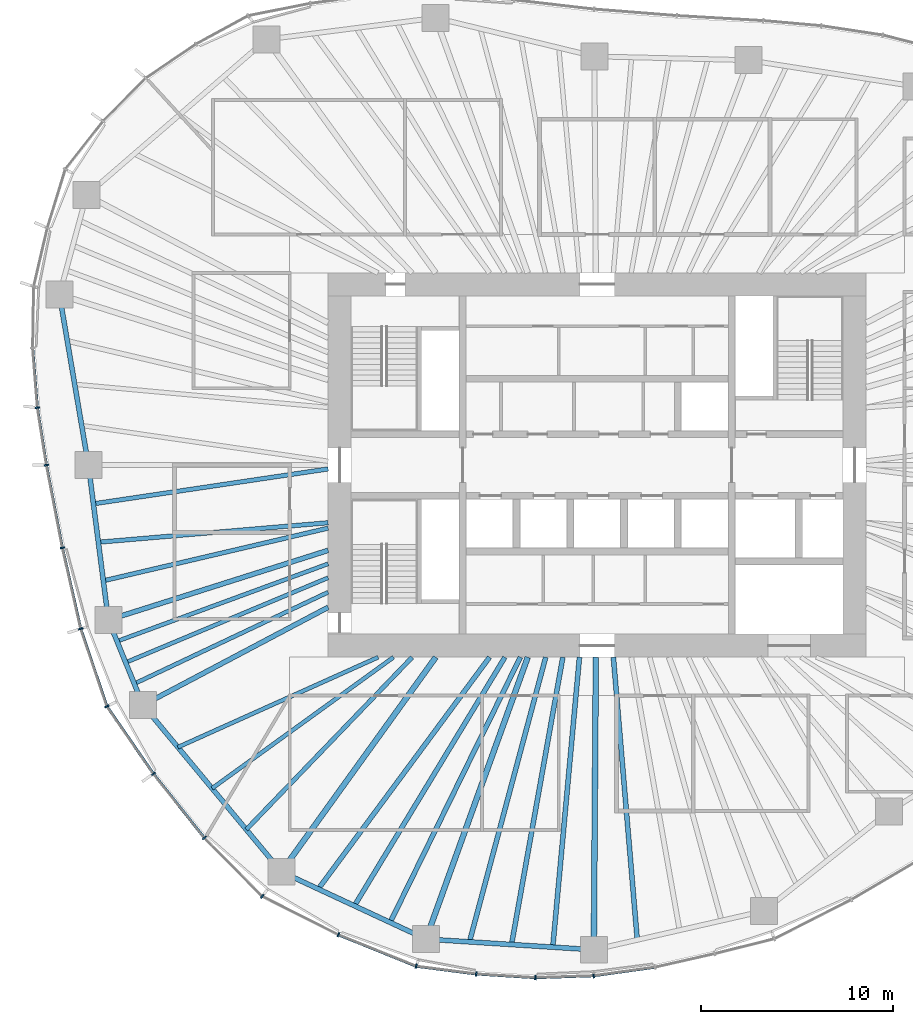
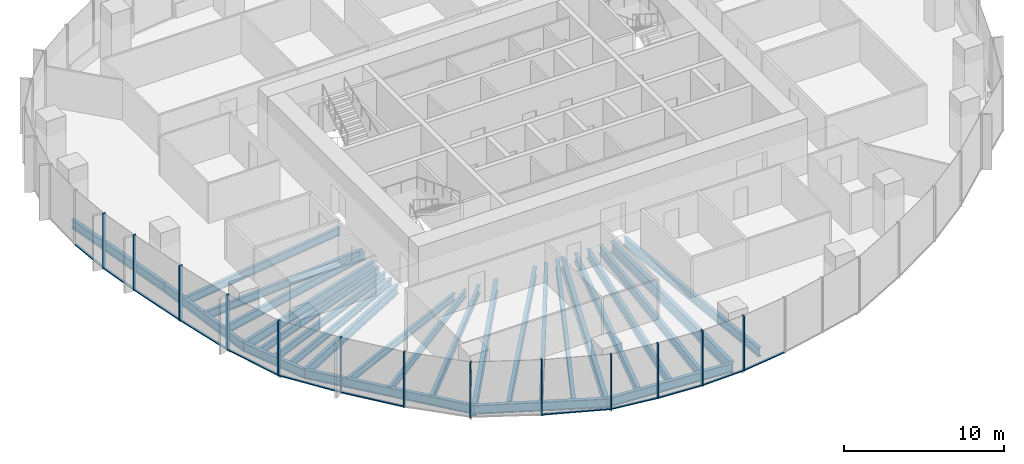
# One storey, part 2 of 18: 27 beams, 25 members, 7 elements without a shape of their own.
"""IFC4 building model written with IfcOpenShell, lengths in metres."""

from ifc_helpers import new_model, si_unit, direction, frame, origin, origin_2d, place, context, subcontext, project, spatial, rectangle, i_section, extrude, material, material_profile, profile_set, type_object, element, aggregate, save


model = new_model("IFC4")

# Units and contexts
model_context = context("Model", 3, precision=1e-05, world=origin(), true_north=direction((0.0, 1.0)))
body_context = subcontext(model_context, "Body", "Model", "MODEL_VIEW")
ifc_project = project(units=[si_unit("LENGTHUNIT", "METRE"), si_unit("AREAUNIT", "SQUARE_METRE"), si_unit("VOLUMEUNIT", "CUBIC_METRE"), si_unit("PLANEANGLEUNIT", "RADIAN"), si_unit("MASSUNIT", "GRAM", prefix="KILO")], contexts=[model_context])

# Site, building, storey
site_placement = place(None, origin())
site = spatial("IfcSite", under=ifc_project, at=site_placement, CompositionType="ELEMENT")
building_placement = place(site_placement, origin())
building = spatial("IfcBuilding", under=site, at=building_placement, Name="Ghaith Harvest Tower", CompositionType="ELEMENT")
storey_placement = place(building_placement, frame((0.0, 0.0, 159.60009765625)))
storey = spatial("IfcBuildingStorey", under=building, at=storey_placement, Name="L34", CompositionType="ELEMENT", Elevation=159.60009765625)

# Curtain wall, member
ifc_material_1 = material(Name="Black anodised aluminium and fritted glass", Category="aluminium")
curtain_wall_type = type_object("IfcCurtainWallType", Name="CW-L CURTAIN WALL", PredefinedType="NOTDEFINED", material=ifc_material_1)
curtain_wall_1_placement = place(storey_placement, origin())
curtain_wall_1 = element("IfcCurtainWall", 1, at=curtain_wall_1_placement, inside=storey, type_object=curtain_wall_type, Name="Curtain wall CW-L bay 10 L34", PredefinedType="NOTDEFINED")
ifc_material_2 = material(Name="Aluminium, black anodised", Category="aluminium")
ifc_material_profile_1 = material_profile(ifc_material_2, rectangle(XDim=0.080078125, YDim=0.239990234375, at=origin_2d()), Name="CW-L MULLION 80x240")
ifc_profile_set_1 = profile_set([ifc_material_profile_1], Name="Aluminium, black anodised")
member_type_1 = type_object("IfcMemberType", Name="CW-L MULLION 80x240", PredefinedType="MULLION", material=ifc_profile_set_1)
member_1_placement = place(storey_placement, frame((-29.131103515625, 2.990478515625, 0.0), z_axis=(0.0, 0.0, 1.0), x_axis=(0.116763791346, -0.993159713757, 0.0)))
member_1 = element("IfcMember", 2, at=member_1_placement, type_object=member_type_1, Name="CW-L mullion 3 bay 10 L34", PredefinedType="MULLION", context=body_context, shape_type="SweptSolid", body=[
    extrude(rectangle(XDim=0.080078125, YDim=0.239990234375, at=origin_2d()), origin(), (0.0, 0.0, 1.0), 4.199951171875),
])

# Curtain wall, members
curtain_wall_2_placement = place(storey_placement, origin())
curtain_wall_2 = element("IfcCurtainWall", 3, at=curtain_wall_2_placement, inside=storey, type_object=curtain_wall_type, Name="Curtain wall CW-L bay 11 L34", PredefinedType="NOTDEFINED")
member_2_placement = place(storey_placement, frame((-28.6611328125, 0.0, 0.0), z_axis=(0.0, 0.0, 1.0), x_axis=(0.175827209372, -0.984421044292, 0.0)))
member_2 = element("IfcMember", 4, at=member_2_placement, type_object=member_type_1, Name="CW-L mullion 1 bay 11 L34", PredefinedType="MULLION", context=body_context, shape_type="SweptSolid", body=[
    extrude(rectangle(XDim=0.080078125, YDim=0.239990234375, at=origin_2d()), origin(), (0.0, 0.0, 1.0), 4.199951171875),
])
member_3_placement = place(storey_placement, frame((-27.828125, -4.30419921875, 0.0), z_axis=(0.0, 0.0, 1.0), x_axis=(0.205176300018, -0.978725030798, 0.0)))
member_3 = element("IfcMember", 5, at=member_3_placement, type_object=member_type_1, Name="CW-L mullion 2 bay 11 L34", PredefinedType="MULLION", context=body_context, shape_type="SweptSolid", body=[
    extrude(rectangle(XDim=0.080078125, YDim=0.239990234375, at=origin_2d()), origin(), (0.0, 0.0, 1.0), 4.199951171875),
])

curtain_wall_3_placement = place(storey_placement, origin())
curtain_wall_3 = element("IfcCurtainWall", 6, at=curtain_wall_3_placement, inside=storey, type_object=curtain_wall_type, Name="Curtain wall CW-L bay 12 L34", PredefinedType="NOTDEFINED")
member_4_placement = place(storey_placement, frame((-26.875732421875, -8.517333984375, 0.0), z_axis=(0.0, 0.0, 1.0), x_axis=(0.270018818005, -0.962855045125, 0.0)))
member_4 = element("IfcMember", 7, at=member_4_placement, type_object=member_type_1, Name="CW-L mullion 1 bay 12 L34", PredefinedType="MULLION", context=body_context, shape_type="SweptSolid", body=[
    extrude(rectangle(XDim=0.080078125, YDim=0.239990234375, at=origin_2d()), origin(), (0.0, 0.0, 1.0), 4.199951171875),
])
member_5_placement = place(storey_placement, frame((-25.513427734375, -12.55810546875, 0.0), z_axis=(0.0, 0.0, 1.0), x_axis=(0.448267068681, -0.893899678452, 0.0)))
member_5 = element("IfcMember", 8, at=member_5_placement, type_object=member_type_1, Name="CW-L mullion 2 bay 12 L34", PredefinedType="MULLION", context=body_context, shape_type="SweptSolid", body=[
    extrude(rectangle(XDim=0.080078125, YDim=0.239990234375, at=origin_2d()), origin(), (0.0, 0.0, 1.0), 4.199951171875),
])

curtain_wall_4_placement = place(storey_placement, origin())
curtain_wall_4 = element("IfcCurtainWall", 9, at=curtain_wall_4_placement, inside=storey, type_object=curtain_wall_type, Name="Curtain wall CW-L bay 13 L34", PredefinedType="NOTDEFINED")
member_6_placement = place(storey_placement, frame((-23.090087890625, -16.066162109375, 0.0), z_axis=(0.0, 0.0, 1.0), x_axis=(0.595740202191, -0.803177198066, 0.0)))
member_6 = element("IfcMember", 10, at=member_6_placement, type_object=member_type_1, Name="CW-L mullion 1 bay 13 L34", PredefinedType="MULLION", context=body_context, shape_type="SweptSolid", body=[
    extrude(rectangle(XDim=0.080078125, YDim=0.239990234375, at=origin_2d()), origin(), (0.0, 0.0, 1.0), 4.199951171875),
])
member_7_placement = place(storey_placement, frame((-20.441162109375, -19.396728515625, 0.0), z_axis=(0.0, 0.0, 1.0), x_axis=(0.663764675537, -0.747941478666, 0.0)))
member_7 = element("IfcMember", 11, at=member_7_placement, type_object=member_type_1, Name="CW-L mullion 2 bay 13 L34", PredefinedType="MULLION", context=body_context, shape_type="SweptSolid", body=[
    extrude(rectangle(XDim=0.080078125, YDim=0.239990234375, at=origin_2d()), origin(), (0.0, 0.0, 1.0), 4.199951171875),
])

curtain_wall_5_placement = place(storey_placement, origin())
curtain_wall_5 = element("IfcCurtainWall", 12, at=curtain_wall_5_placement, inside=storey, type_object=curtain_wall_type, Name="Curtain wall CW-L bay 14 L34", PredefinedType="NOTDEFINED")
member_8_placement = place(storey_placement, frame((-17.430419921875, -22.443603515625, 0.0), z_axis=(0.0, 0.0, 1.0), x_axis=(0.810339399222, -0.585960799089, 0.0)))
member_8 = element("IfcMember", 13, at=member_8_placement, type_object=member_type_1, Name="CW-L mullion 1 bay 14 L34", PredefinedType="MULLION", context=body_context, shape_type="SweptSolid", body=[
    extrude(rectangle(XDim=0.080078125, YDim=0.239990234375, at=origin_2d()), origin(), (0.0, 0.0, 1.0), 4.199951171875),
])
member_9_placement = place(storey_placement, frame((-13.463134765625, -24.4423828125, 0.0), z_axis=(0.0, 0.0, 1.0), x_axis=(0.910648017946, -0.413182995066, 0.0)))
member_9 = element("IfcMember", 14, at=member_9_placement, type_object=member_type_1, Name="CW-L mullion 2 bay 14 L34", PredefinedType="MULLION", context=body_context, shape_type="SweptSolid", body=[
    extrude(rectangle(XDim=0.080078125, YDim=0.239990234375, at=origin_2d()), origin(), (0.0, 0.0, 1.0), 4.199951171875),
])

curtain_wall_6_placement = place(storey_placement, origin())
curtain_wall_6 = element("IfcCurtainWall", 15, at=curtain_wall_6_placement, inside=storey, type_object=curtain_wall_type, Name="Curtain wall CW-L bay 15 L34", PredefinedType="NOTDEFINED")
member_10_placement = place(storey_placement, frame((-9.4189453125, -26.07861328125, 0.0), z_axis=(0.0, 0.0, 1.0), x_axis=(0.961788606004, -0.273793128768, 0.0)))
member_10 = element("IfcMember", 16, at=member_10_placement, type_object=member_type_1, Name="CW-L mullion 1 bay 15 L34", PredefinedType="MULLION", context=body_context, shape_type="SweptSolid", body=[
    extrude(rectangle(XDim=0.080078125, YDim=0.239990234375, at=origin_2d()), origin(), (0.0, 0.0, 1.0), 4.199951171875),
])
member_11_placement = place(storey_placement, frame((-6.29443359375, -26.483154296875, 0.0), z_axis=(0.0, 0.0, 1.0), x_axis=(0.995389243171, -0.095917957546, 0.0)))
member_11 = element("IfcMember", 17, at=member_11_placement, type_object=member_type_1, Name="CW-L mullion 2 bay 15 L34", PredefinedType="MULLION", context=body_context, shape_type="SweptSolid", body=[
    extrude(rectangle(XDim=0.080078125, YDim=0.239990234375, at=origin_2d()), origin(), (0.0, 0.0, 1.0), 4.199951171875),
])
member_12_placement = place(storey_placement, frame((-3.21923828125, -26.676025390625, 0.0), z_axis=(0.0, 0.0, 1.0), x_axis=(0.999890531495, -0.014796115241, 0.0)))
member_12 = element("IfcMember", 18, at=member_12_placement, type_object=member_type_1, Name="CW-L mullion 3 bay 15 L34", PredefinedType="MULLION", context=body_context, shape_type="SweptSolid", body=[
    extrude(rectangle(XDim=0.080078125, YDim=0.239990234375, at=origin_2d()), origin(), (0.0, 0.0, 1.0), 4.199951171875),
])

# Curtain wall, member
curtain_wall_7_placement = place(storey_placement, origin())
curtain_wall_7 = element("IfcCurtainWall", 19, at=curtain_wall_7_placement, inside=storey, type_object=curtain_wall_type, Name="Curtain wall CW-L bay 16 L34", PredefinedType="NOTDEFINED")
member_13_placement = place(storey_placement, frame((-0.181884765625, -26.57373046875, 0.0), z_axis=(0.0, 0.0, 1.0), x_axis=(0.996169227662, 0.087446382772, 0.0)))
member_13 = element("IfcMember", 20, at=member_13_placement, type_object=member_type_1, Name="CW-L mullion 1 bay 16 L34", PredefinedType="MULLION", context=body_context, shape_type="SweptSolid", body=[
    extrude(rectangle(XDim=0.080078125, YDim=0.239990234375, at=origin_2d()), origin(), (0.0, 0.0, 1.0), 4.199951171875),
])

# Member
ifc_material_3 = material(Name="Aluminium, black anodised", Category="aluminium")
ifc_material_profile_2 = material_profile(ifc_material_3, rectangle(XDim=0.14990234375, YDim=0.080078125, at=origin_2d()), Name="CW-L TRANSOM 150x80")
ifc_profile_set_2 = profile_set([ifc_material_profile_2], Name="Aluminium, black anodised")
member_type_2 = type_object("IfcMemberType", Name="CW-L TRANSOM 150x80", PredefinedType="USERDEFINED", material=ifc_profile_set_2)
member_14_placement = place(storey_placement, frame((-29.374755859375, 6.05615234375, 0.039794921875), z_axis=(0.079230491279, -0.996856323274, 0.0), x_axis=(0.996856323274, 0.079230491279, 0.0)))
member_14 = element("IfcMember", 21, at=member_14_placement, type_object=member_type_2, Name="CW-L transom 2 bay 10 L34", ObjectType="TRANSOM", PredefinedType="USERDEFINED", context=body_context, shape_type="SweptSolid", body=[
    extrude(rectangle(XDim=0.14990234375, YDim=0.080078125, at=origin_2d()), origin(), (0.0, 0.0, 1.0), 3.03515625),
])

member_15_placement = place(storey_placement, frame((-29.124755859375, 2.951171875, 0.039794921875), z_axis=(0.155150065502, -0.987890913601, 0.0), x_axis=(0.987890913601, 0.155150065502, 0.0)))
member_15 = element("IfcMember", 22, at=member_15_placement, type_object=member_type_2, Name="CW-L transom 3 bay 10 L34", ObjectType="TRANSOM", PredefinedType="USERDEFINED", context=body_context, shape_type="SweptSolid", body=[
    extrude(rectangle(XDim=0.14990234375, YDim=0.080078125, at=origin_2d()), origin(), (0.0, 0.0, 1.0), 2.947265625),
])

aggregate(curtain_wall_1, [member_14, member_1, member_15])

member_16_placement = place(storey_placement, frame((-28.653564453125, -0.039306640625, 0.039794921875), z_axis=(0.190025434036, -0.981779167848, 0.0), x_axis=(0.981779167848, 0.190025434036, 0.0)))
member_16 = element("IfcMember", 23, at=member_16_placement, type_object=member_type_2, Name="CW-L transom 1 bay 11 L34", ObjectType="TRANSOM", PredefinedType="USERDEFINED", context=body_context, shape_type="SweptSolid", body=[
    extrude(rectangle(XDim=0.14990234375, YDim=0.080078125, at=origin_2d()), origin(), (0.0, 0.0, 1.0), 4.303955078125),
])

member_17_placement = place(storey_placement, frame((-27.8193359375, -4.34326171875, 0.039794921875), z_axis=(0.220508326041, -0.975385092231, 0.0), x_axis=(0.975385092231, 0.220508326041, 0.0)))
member_17 = element("IfcMember", 24, at=member_17_placement, type_object=member_type_2, Name="CW-L transom 2 bay 11 L34", ObjectType="TRANSOM", PredefinedType="USERDEFINED", context=body_context, shape_type="SweptSolid", body=[
    extrude(rectangle(XDim=0.14990234375, YDim=0.080078125, at=origin_2d()), origin(), (0.0, 0.0, 1.0), 4.2392578125),
])

aggregate(curtain_wall_2, [member_2, member_16, member_3, member_17])

member_18_placement = place(storey_placement, frame((-26.863037109375, -8.55517578125, 0.039794921875), z_axis=(0.319499057133, -0.947586593664, 0.0), x_axis=(0.947586593664, 0.319499057133, 0.0)))
member_18 = element("IfcMember", 25, at=member_18_placement, type_object=member_type_2, Name="CW-L transom 1 bay 12 L34", ObjectType="TRANSOM", PredefinedType="USERDEFINED", context=body_context, shape_type="SweptSolid", body=[
    extrude(rectangle(XDim=0.14990234375, YDim=0.080078125, at=origin_2d()), origin(), (0.0, 0.0, 1.0), 4.184326171875),
])

member_19_placement = place(storey_placement, frame((-25.49072265625, -12.591064453125, 0.039794921875), z_axis=(0.568360052499, -0.822779952796, 0.0), x_axis=(0.822779952796, 0.568360052499, 0.0)))
member_19 = element("IfcMember", 26, at=member_19_placement, type_object=member_type_2, Name="CW-L transom 2 bay 12 L34", ObjectType="TRANSOM", PredefinedType="USERDEFINED", context=body_context, shape_type="SweptSolid", body=[
    extrude(rectangle(XDim=0.14990234375, YDim=0.080078125, at=origin_2d()), origin(), (0.0, 0.0, 1.0), 4.183837890625),
])

aggregate(curtain_wall_3, [member_4, member_18, member_5, member_19])

member_20_placement = place(storey_placement, frame((-23.065185546875, -16.09765625, 0.039794921875), z_axis=(0.622510542814, -0.782611413209, 0.0), x_axis=(0.782611413209, 0.622510542814, 0.0)))
member_20 = element("IfcMember", 27, at=member_20_placement, type_object=member_type_2, Name="CW-L transom 1 bay 13 L34", ObjectType="TRANSOM", PredefinedType="USERDEFINED", context=body_context, shape_type="SweptSolid", body=[
    extrude(rectangle(XDim=0.14990234375, YDim=0.080078125, at=origin_2d()), origin(), (0.0, 0.0, 1.0), 4.17529296875),
])

aggregate(curtain_wall_4, [member_6, member_20, member_7])

member_21_placement = place(storey_placement, frame((-13.426025390625, -24.45751953125, 0.039794921875), z_axis=(0.92700297754, -0.375053968959, 0.0), x_axis=(0.375053968959, 0.92700297754, 0.0)))
member_21 = element("IfcMember", 28, at=member_21_placement, type_object=member_type_2, Name="CW-L transom 2 bay 14 L34", ObjectType="TRANSOM", PredefinedType="USERDEFINED", context=body_context, shape_type="SweptSolid", body=[
    extrude(rectangle(XDim=0.14990234375, YDim=0.080078125, at=origin_2d()), origin(), (0.0, 0.0, 1.0), 4.282470703125),
])

aggregate(curtain_wall_5, [member_8, member_9, member_21])

member_22_placement = place(storey_placement, frame((-9.37939453125, -26.083740234375, 0.039794921875), z_axis=(0.991722765635, -0.128397648429, 0.0), x_axis=(0.128397648429, 0.991722765635, 0.0)))
member_22 = element("IfcMember", 29, at=member_22_placement, type_object=member_type_2, Name="CW-L transom 1 bay 15 L34", ObjectType="TRANSOM", PredefinedType="USERDEFINED", context=body_context, shape_type="SweptSolid", body=[
    extrude(rectangle(XDim=0.14990234375, YDim=0.080078125, at=origin_2d()), origin(), (0.0, 0.0, 1.0), 3.07080078125),
])

member_23_placement = place(storey_placement, frame((-6.25439453125, -26.485595703125, 0.039794921875), z_axis=(0.998036402434, -0.062636566132, 0.0), x_axis=(0.062636566132, 0.998036402434, 0.0)))
member_23 = element("IfcMember", 30, at=member_23_placement, type_object=member_type_2, Name="CW-L transom 2 bay 15 L34", ObjectType="TRANSOM", PredefinedType="USERDEFINED", context=body_context, shape_type="SweptSolid", body=[
    extrude(rectangle(XDim=0.14990234375, YDim=0.080078125, at=origin_2d()), origin(), (0.0, 0.0, 1.0), 3.001220703125),
])

member_24_placement = place(storey_placement, frame((-3.17919921875, -26.6748046875, 0.039794921875), z_axis=(0.999430436664, 0.033746144522, 0.0), x_axis=(-0.033746144522, 0.999430436664, 0.0)))
member_24 = element("IfcMember", 31, at=member_24_placement, type_object=member_type_2, Name="CW-L transom 3 bay 15 L34", ObjectType="TRANSOM", PredefinedType="USERDEFINED", context=body_context, shape_type="SweptSolid", body=[
    extrude(rectangle(XDim=0.14990234375, YDim=0.080078125, at=origin_2d()), origin(), (0.0, 0.0, 1.0), 2.958984375),
])

aggregate(curtain_wall_6, [member_10, member_22, member_11, member_23, member_12, member_24])

member_25_placement = place(storey_placement, frame((-0.142333984375, -26.568115234375, 0.039794921875), z_axis=(0.990446640965, 0.137896524254, 0.0), x_axis=(-0.137896524254, 0.990446640965, 0.0)))
member_25 = element("IfcMember", 32, at=member_25_placement, type_object=member_type_2, Name="CW-L transom 1 bay 16 L34", ObjectType="TRANSOM", PredefinedType="USERDEFINED", context=body_context, shape_type="SweptSolid", body=[
    extrude(rectangle(XDim=0.14990234375, YDim=0.080078125, at=origin_2d()), origin(), (0.0, 0.0, 1.0), 3.142578125),
])

aggregate(curtain_wall_7, [member_13, member_25])

# Beams
ifc_material_4 = material(Name="Steel ASTM A992 Grade 50", Category="steel")
ifc_material_profile_3 = material_profile(ifc_material_4, i_section(OverallWidth=0.25390625, OverallDepth=0.68408203125, WebThickness=0.012451171875, FlangeThickness=0.018798828125, at=origin_2d()), Name="W690X140")
ifc_profile_set_3 = profile_set([ifc_material_profile_3], Name="Steel ASTM A992 Grade 50")
beam_type_1 = type_object("IfcBeamType", Name="E690-140 W690X140", PredefinedType="SPANDREL", material=ifc_profile_set_3)
beam_1_placement = place(storey_placement, frame((-27.98291015625, 8.867919921875, -0.51220703125), z_axis=(0.167624246844, -0.985850958244, 0.0), x_axis=(0.985850958244, 0.167624246844, 0.0)))
element("IfcBeam", 33, at=beam_1_placement, inside=storey, type_object=beam_type_1, Name="Edge beam E10 L34", PredefinedType="SPANDREL", context=body_context, shape_type="SweptSolid", body=[
    extrude(i_section(OverallWidth=0.25390625, OverallDepth=0.68408203125, WebThickness=0.012451171875, FlangeThickness=0.018798828125, at=origin_2d()), origin(), (0.0, 0.0, 1.0), 8.9951171875),
])
beam_2_placement = place(storey_placement, frame((-26.47509765625, 0.0, -0.51220703125), z_axis=(0.127841715048, -0.991794583517, 0.0), x_axis=(0.991794583517, 0.127841715048, 0.0)))
element("IfcBeam", 34, at=beam_2_placement, inside=storey, type_object=beam_type_1, Name="Edge beam E11 L34", PredefinedType="SPANDREL", context=body_context, shape_type="SweptSolid", body=[
    extrude(i_section(OverallWidth=0.25390625, OverallDepth=0.68408203125, WebThickness=0.012451171875, FlangeThickness=0.018798828125, at=origin_2d()), origin(), (0.0, 0.0, 1.0), 8.127685546875),
])
beam_3_placement = place(storey_placement, frame((-25.43603515625, -8.06103515625, -0.51220703125), z_axis=(0.376479712052, -0.9264248628, 0.0), x_axis=(0.9264248628, 0.376479712052, 0.0)))
element("IfcBeam", 35, at=beam_3_placement, inside=storey, type_object=beam_type_1, Name="Edge beam E12 L34", PredefinedType="SPANDREL", context=body_context, shape_type="SweptSolid", body=[
    extrude(i_section(OverallWidth=0.25390625, OverallDepth=0.68408203125, WebThickness=0.012451171875, FlangeThickness=0.018798828125, at=origin_2d()), origin(), (0.0, 0.0, 1.0), 4.783935546875),
])
beam_4_placement = place(storey_placement, frame((-23.635009765625, -12.492919921875, -0.51220703125), z_axis=(0.638719320052, -0.769439815835, 0.0), x_axis=(0.769439815835, 0.638719320052, 0.0)))
element("IfcBeam", 36, at=beam_4_placement, inside=storey, type_object=beam_type_1, Name="Edge beam E13 L34", PredefinedType="SPANDREL", context=body_context, shape_type="SweptSolid", body=[
    extrude(i_section(OverallWidth=0.25390625, OverallDepth=0.68408203125, WebThickness=0.012451171875, FlangeThickness=0.018798828125, at=origin_2d()), origin(), (0.0, 0.0, 1.0), 11.26953125),
])
beam_5_placement = place(storey_placement, frame((-16.43701171875, -21.1640625, -0.51220703125), z_axis=(0.906607079462, -0.421975832802, 0.0), x_axis=(0.421975832802, 0.906607079462, 0.0)))
element("IfcBeam", 37, at=beam_5_placement, inside=storey, type_object=beam_type_1, Name="Edge beam E14 L34", PredefinedType="SPANDREL", context=body_context, shape_type="SweptSolid", body=[
    extrude(i_section(OverallWidth=0.25390625, OverallDepth=0.68408203125, WebThickness=0.012451171875, FlangeThickness=0.018798828125, at=origin_2d()), origin(), (0.0, 0.0, 1.0), 8.303466796875),
])
beam_6_placement = place(storey_placement, frame((-8.908935546875, -24.66796875, -0.51220703125), z_axis=(0.99797963184, -0.063534671101, 0.0), x_axis=(0.063534671101, 0.99797963184, 0.0)))
element("IfcBeam", 38, at=beam_6_placement, inside=storey, type_object=beam_type_1, Name="Edge beam E15 L34", PredefinedType="SPANDREL", context=body_context, shape_type="SweptSolid", body=[
    extrude(i_section(OverallWidth=0.25390625, OverallDepth=0.68408203125, WebThickness=0.012451171875, FlangeThickness=0.018798828125, at=origin_2d()), origin(), (0.0, 0.0, 1.0), 8.75341796875),
])
ifc_material_5 = material(Name="Steel ASTM A992 Grade 50", Category="steel")
ifc_material_profile_4 = material_profile(ifc_material_5, i_section(OverallWidth=0.256103515625, OverallDepth=0.693115234375, WebThickness=0.014404296875, FlangeThickness=0.023681640625, at=origin_2d()), Name="W690X170")
ifc_profile_set_4 = profile_set([ifc_material_profile_4], Name="Steel ASTM A992 Grade 50")
beam_type_2 = type_object("IfcBeamType", Name="G690-170 W690X170", PredefinedType="BEAM", material=ifc_profile_set_4)
beam_7_placement = place(storey_placement, frame((-14.0, -4.43701171875, -0.5166015625), z_axis=(-0.953279533519, -0.302089607522, 0.0), x_axis=(0.302089607522, -0.953279533519, 0.0)))
element("IfcBeam", 39, at=beam_7_placement, inside=storey, type_object=beam_type_2, Name="Radial girder G12 L34", PredefinedType="BEAM", context=body_context, shape_type="SweptSolid", body=[
    extrude(i_section(OverallWidth=0.256103515625, OverallDepth=0.693115234375, WebThickness=0.014404296875, FlangeThickness=0.023681640625, at=origin_2d()), origin(), (0.0, 0.0, 1.0), 11.99658203125),
])
beam_8_placement = place(storey_placement, frame((-14.0, -7.39990234375, -0.5166015625), z_axis=(-0.884086346066, -0.467323584576, 0.0), x_axis=(0.467323584576, -0.884086346066, 0.0)))
element("IfcBeam", 40, at=beam_8_placement, inside=storey, type_object=beam_type_2, Name="Radial girder G13 L34", PredefinedType="BEAM", context=body_context, shape_type="SweptSolid", body=[
    extrude(i_section(OverallWidth=0.256103515625, OverallDepth=0.693115234375, WebThickness=0.014404296875, FlangeThickness=0.023681640625, at=origin_2d()), origin(), (0.0, 0.0, 1.0), 10.898193359375),
])
ifc_material_6 = material(Name="Steel ASTM A992 Grade 50", Category="steel")
ifc_material_profile_5 = material_profile(ifc_material_6, i_section(OverallWidth=0.2939453125, OverallDepth=0.85107421875, WebThickness=0.01611328125, FlangeThickness=0.02685546875, at=origin_2d()), Name="W840X226")
ifc_profile_set_5 = profile_set([ifc_material_profile_5], Name="Steel ASTM A992 Grade 50")
beam_type_3 = type_object("IfcBeamType", Name="G840-226 W840X226", PredefinedType="BEAM", material=ifc_profile_set_5)
beam_9_placement = place(storey_placement, frame((-8.39990234375, -10.0, -0.595703125), z_axis=(-0.584256100809, -0.811569349265, 0.0), x_axis=(0.811569349265, -0.584256100809, 0.0)))
element("IfcBeam", 41, at=beam_9_placement, inside=storey, type_object=beam_type_3, Name="Radial girder G14 L34", PredefinedType="BEAM", context=body_context, shape_type="SweptSolid", body=[
    extrude(i_section(OverallWidth=0.2939453125, OverallDepth=0.85107421875, WebThickness=0.01611328125, FlangeThickness=0.02685546875, at=origin_2d()), origin(), (0.0, 0.0, 1.0), 13.756103515625),
])
beam_10_placement = place(storey_placement, frame((-3.61181640625, -10.0, -0.595703125), z_axis=(-0.339664467784, -0.940546675782, 0.0), x_axis=(0.940546675782, -0.339664467784, 0.0)))
element("IfcBeam", 42, at=beam_10_placement, inside=storey, type_object=beam_type_3, Name="Radial girder G15 L34", PredefinedType="BEAM", context=body_context, shape_type="SweptSolid", body=[
    extrude(i_section(OverallWidth=0.2939453125, OverallDepth=0.85107421875, WebThickness=0.01611328125, FlangeThickness=0.02685546875, at=origin_2d()), origin(), (0.0, 0.0, 1.0), 15.59521484375),
])
beam_11_placement = place(storey_placement, frame((-0.068359375, -10.0, -0.595703125), z_axis=(-0.006879467722, -0.999976336182, 0.0), x_axis=(0.999976336182, -0.006879467722, 0.0)))
element("IfcBeam", 43, at=beam_11_placement, inside=storey, type_object=beam_type_3, Name="Radial girder G16 L34", PredefinedType="BEAM", context=body_context, shape_type="SweptSolid", body=[
    extrude(i_section(OverallWidth=0.2939453125, OverallDepth=0.85107421875, WebThickness=0.01611328125, FlangeThickness=0.02685546875, at=origin_2d()), origin(), (0.0, 0.0, 1.0), 15.224365234375),
])
ifc_material_7 = material(Name="Steel ASTM A992 Grade 50", Category="steel")
ifc_material_profile_6 = material_profile(ifc_material_7, i_section(OverallWidth=0.2109375, OverallDepth=0.5390625, WebThickness=0.01171875, FlangeThickness=0.018798828125, at=origin_2d()), Name="W530X109")
ifc_profile_set_6 = profile_set([ifc_material_profile_6], Name="Steel ASTM A992 Grade 50")
beam_type_4 = type_object("IfcBeamType", Name="J530-109 W530X109", PredefinedType="JOIST", material=ifc_profile_set_6)
beam_12_placement = place(storey_placement, frame((-14.0, -5.137939453125, -0.439697265625), z_axis=(-0.938774452531, -0.344532331247, 0.0), x_axis=(0.344532331247, -0.938774452531, 0.0)))
element("IfcBeam", 44, at=beam_12_placement, inside=storey, type_object=beam_type_4, Name="Joist J12.1 L34", PredefinedType="JOIST", context=body_context, shape_type="SweptSolid", body=[
    extrude(i_section(OverallWidth=0.2109375, OverallDepth=0.5390625, WebThickness=0.01171875, FlangeThickness=0.018798828125, at=origin_2d()), origin(), (0.0, 0.0, 1.0), 11.7021484375),
])
beam_13_placement = place(storey_placement, frame((-14.0, -5.862548828125, -0.439697265625), z_axis=(-0.922385564947, -0.386270461693, 0.0), x_axis=(0.386270461693, -0.922385564947, 0.0)))
element("IfcBeam", 45, at=beam_13_placement, inside=storey, type_object=beam_type_4, Name="Joist J12.2 L34", PredefinedType="JOIST", context=body_context, shape_type="SweptSolid", body=[
    extrude(i_section(OverallWidth=0.2109375, OverallDepth=0.5390625, WebThickness=0.01171875, FlangeThickness=0.018798828125, at=origin_2d()), origin(), (0.0, 0.0, 1.0), 11.4228515625),
])
beam_14_placement = place(storey_placement, frame((-14.0, -6.614990234375, -0.439697265625), z_axis=(-0.904150042111, -0.427215052815, 0.0), x_axis=(0.427215052815, -0.904150042111, 0.0)))
element("IfcBeam", 46, at=beam_14_placement, inside=storey, type_object=beam_type_4, Name="Joist J12.3 L34", PredefinedType="JOIST", context=body_context, shape_type="SweptSolid", body=[
    extrude(i_section(OverallWidth=0.2109375, OverallDepth=0.5390625, WebThickness=0.01171875, FlangeThickness=0.018798828125, at=origin_2d()), origin(), (0.0, 0.0, 1.0), 11.15625),
])
beam_15_placement = place(storey_placement, frame((-11.39990234375, -10.0, -0.439697265625), z_axis=(-0.912147734774, -0.409861574127, 0.0), x_axis=(0.409861574127, -0.912147734774, 0.0)))
element("IfcBeam", 47, at=beam_15_placement, inside=storey, type_object=beam_type_4, Name="Joist J13.1 L34", PredefinedType="JOIST", context=body_context, shape_type="SweptSolid", body=[
    extrude(i_section(OverallWidth=0.2109375, OverallDepth=0.5390625, WebThickness=0.01171875, FlangeThickness=0.018798828125, at=origin_2d()), origin(), (0.0, 0.0, 1.0), 11.421875),
])
beam_16_placement = place(storey_placement, frame((-10.60009765625, -10.0, -0.439697265625), z_axis=(-0.810452010932, -0.5858050341, 0.0), x_axis=(0.5858050341, -0.810452010932, 0.0)))
element("IfcBeam", 48, at=beam_16_placement, inside=storey, type_object=beam_type_4, Name="Joist J13.2 L34", PredefinedType="JOIST", context=body_context, shape_type="SweptSolid", body=[
    extrude(i_section(OverallWidth=0.2109375, OverallDepth=0.5390625, WebThickness=0.01171875, FlangeThickness=0.018798828125, at=origin_2d()), origin(), (0.0, 0.0, 1.0), 11.64794921875),
])
ifc_material_8 = material(Name="Steel ASTM A992 Grade 50", Category="steel")
ifc_material_profile_7 = material_profile(ifc_material_8, i_section(OverallWidth=0.22900390625, OverallDepth=0.612060546875, WebThickness=0.011962890625, FlangeThickness=0.01953125, at=origin_2d()), Name="W610X125")
ifc_profile_set_7 = profile_set([ifc_material_profile_7], Name="Steel ASTM A992 Grade 50")
beam_type_5 = type_object("IfcBeamType", Name="J610-125 W610X125", PredefinedType="JOIST", material=ifc_profile_set_7)
beam_17_placement = place(storey_placement, frame((-14.0, -0.199951171875, -0.47607421875), z_axis=(-0.989135422742, -0.147007195321, 0.0), x_axis=(0.147007195321, -0.989135422742, 0.0)))
element("IfcBeam", 49, at=beam_17_placement, inside=storey, type_object=beam_type_5, Name="Joist J11.1 L34", PredefinedType="JOIST", context=body_context, shape_type="SweptSolid", body=[
    extrude(i_section(OverallWidth=0.22900390625, OverallDepth=0.612060546875, WebThickness=0.011962890625, FlangeThickness=0.01953125, at=origin_2d()), origin(), (0.0, 0.0, 1.0), 12.349365234375),
])
beam_18_placement = place(storey_placement, frame((-14.0, -3.0, -0.47607421875), z_axis=(-0.996417474722, -0.0845707755, 0.0), x_axis=(0.0845707755, -0.996417474722, 0.0)))
element("IfcBeam", 50, at=beam_18_placement, inside=storey, type_object=beam_type_5, Name="Joist J11.2 L34", PredefinedType="JOIST", context=body_context, shape_type="SweptSolid", body=[
    extrude(i_section(OverallWidth=0.22900390625, OverallDepth=0.612060546875, WebThickness=0.011962890625, FlangeThickness=0.01953125, at=origin_2d()), origin(), (0.0, 0.0, 1.0), 12.00048828125),
])
beam_19_placement = place(storey_placement, frame((-14.0, -3.280517578125, -0.47607421875), z_axis=(-0.973624350862, -0.228157014813, 0.0), x_axis=(0.228157014813, -0.973624350862, 0.0)))
element("IfcBeam", 51, at=beam_19_placement, inside=storey, type_object=beam_type_5, Name="Joist J11.3 L34", PredefinedType="JOIST", context=body_context, shape_type="SweptSolid", body=[
    extrude(i_section(OverallWidth=0.22900390625, OverallDepth=0.612060546875, WebThickness=0.011962890625, FlangeThickness=0.01953125, at=origin_2d()), origin(), (0.0, 0.0, 1.0), 12.015625),
])
beam_20_placement = place(storey_placement, frame((-9.626708984375, -10.0, -0.47607421875), z_axis=(-0.693534641621, -0.720423278963, 0.0), x_axis=(0.720423278963, -0.693534641621, 0.0)))
element("IfcBeam", 52, at=beam_20_placement, inside=storey, type_object=beam_type_5, Name="Joist J13.3 L34", PredefinedType="JOIST", context=body_context, shape_type="SweptSolid", body=[
    extrude(i_section(OverallWidth=0.22900390625, OverallDepth=0.612060546875, WebThickness=0.011962890625, FlangeThickness=0.01953125, at=origin_2d()), origin(), (0.0, 0.0, 1.0), 12.4482421875),
])
ifc_material_9 = material(Name="Steel ASTM A992 Grade 50", Category="steel")
ifc_material_profile_8 = material_profile(ifc_material_9, i_section(OverallWidth=0.25390625, OverallDepth=0.68408203125, WebThickness=0.012451171875, FlangeThickness=0.018798828125, at=origin_2d()), Name="W690X140")
ifc_profile_set_8 = profile_set([ifc_material_profile_8], Name="Steel ASTM A992 Grade 50")
beam_type_6 = type_object("IfcBeamType", Name="J690-140 W690X140", PredefinedType="JOIST", material=ifc_profile_set_8)
beam_21_placement = place(storey_placement, frame((-5.60009765625, -10.0, -0.51220703125), z_axis=(-0.59434024765, -0.804213696739, 0.0), x_axis=(0.804213696739, -0.59434024765, 0.0)))
element("IfcBeam", 53, at=beam_21_placement, inside=storey, type_object=beam_type_6, Name="Joist J14.1 L34", PredefinedType="JOIST", context=body_context, shape_type="SweptSolid", body=[
    extrude(i_section(OverallWidth=0.25390625, OverallDepth=0.68408203125, WebThickness=0.012451171875, FlangeThickness=0.018798828125, at=origin_2d()), origin(), (0.0, 0.0, 1.0), 14.995849609375),
])
beam_22_placement = place(storey_placement, frame((-4.800048828125, -10.0, -0.51220703125), z_axis=(-0.517986442874, -0.855388826791, 0.0), x_axis=(0.855388826791, -0.517986442874, 0.0)))
element("IfcBeam", 54, at=beam_22_placement, inside=storey, type_object=beam_type_6, Name="Joist J14.2 L34", PredefinedType="JOIST", context=body_context, shape_type="SweptSolid", body=[
    extrude(i_section(OverallWidth=0.25390625, OverallDepth=0.68408203125, WebThickness=0.012451171875, FlangeThickness=0.018798828125, at=origin_2d()), origin(), (0.0, 0.0, 1.0), 15.12158203125),
])
beam_23_placement = place(storey_placement, frame((-4.0, -10.0, -0.51220703125), z_axis=(-0.440562898219, -0.897721745706, 0.0), x_axis=(0.897721745706, -0.440562898219, 0.0)))
element("IfcBeam", 55, at=beam_23_placement, inside=storey, type_object=beam_type_6, Name="Joist J14.3 L34", PredefinedType="JOIST", context=body_context, shape_type="SweptSolid", body=[
    extrude(i_section(OverallWidth=0.25390625, OverallDepth=0.68408203125, WebThickness=0.012451171875, FlangeThickness=0.018798828125, at=origin_2d()), origin(), (0.0, 0.0, 1.0), 15.372802734375),
])
beam_24_placement = place(storey_placement, frame((-2.677978515625, -10.0, -0.51220703125), z_axis=(-0.258693109612, -0.965959561803, 0.0), x_axis=(0.965959561803, -0.258693109612, 0.0)))
element("IfcBeam", 56, at=beam_24_placement, inside=storey, type_object=beam_type_6, Name="Joist J15.1 L34", PredefinedType="JOIST", context=body_context, shape_type="SweptSolid", body=[
    extrude(i_section(OverallWidth=0.25390625, OverallDepth=0.68408203125, WebThickness=0.012451171875, FlangeThickness=0.018798828125, at=origin_2d()), origin(), (0.0, 0.0, 1.0), 15.333984375),
])
beam_25_placement = place(storey_placement, frame((-1.785888671875, -10.0, -0.51220703125), z_axis=(-0.175792307544, -0.984427277461, 0.0), x_axis=(0.984427277461, -0.175792307544, 0.0)))
element("IfcBeam", 57, at=beam_25_placement, inside=storey, type_object=beam_type_6, Name="Joist J15.2 L34", PredefinedType="JOIST", context=body_context, shape_type="SweptSolid", body=[
    extrude(i_section(OverallWidth=0.25390625, OverallDepth=0.68408203125, WebThickness=0.012451171875, FlangeThickness=0.018798828125, at=origin_2d()), origin(), (0.0, 0.0, 1.0), 15.18798828125),
])
beam_26_placement = place(storey_placement, frame((-0.92041015625, -10.0, -0.51220703125), z_axis=(-0.091651457116, -0.995791147987, 0.0), x_axis=(0.995791147987, -0.091651457116, 0.0)))
element("IfcBeam", 58, at=beam_26_placement, inside=storey, type_object=beam_type_6, Name="Joist J15.3 L34", PredefinedType="JOIST", context=body_context, shape_type="SweptSolid", body=[
    extrude(i_section(OverallWidth=0.25390625, OverallDepth=0.68408203125, WebThickness=0.012451171875, FlangeThickness=0.018798828125, at=origin_2d()), origin(), (0.0, 0.0, 1.0), 15.151611328125),
])
beam_27_placement = place(storey_placement, frame((0.844970703125, -10.0, -0.51220703125), z_axis=(0.084208979751, -0.996448115924, 0.0), x_axis=(0.996448115924, 0.084208979751, 0.0)))
element("IfcBeam", 59, at=beam_27_placement, inside=storey, type_object=beam_type_6, Name="Joist J16.1 L34", PredefinedType="JOIST", context=body_context, shape_type="SweptSolid", body=[
    extrude(i_section(OverallWidth=0.25390625, OverallDepth=0.68408203125, WebThickness=0.012451171875, FlangeThickness=0.018798828125, at=origin_2d()), origin(), (0.0, 0.0, 1.0), 14.760009765625),
])

save(model, "model.ifc")
